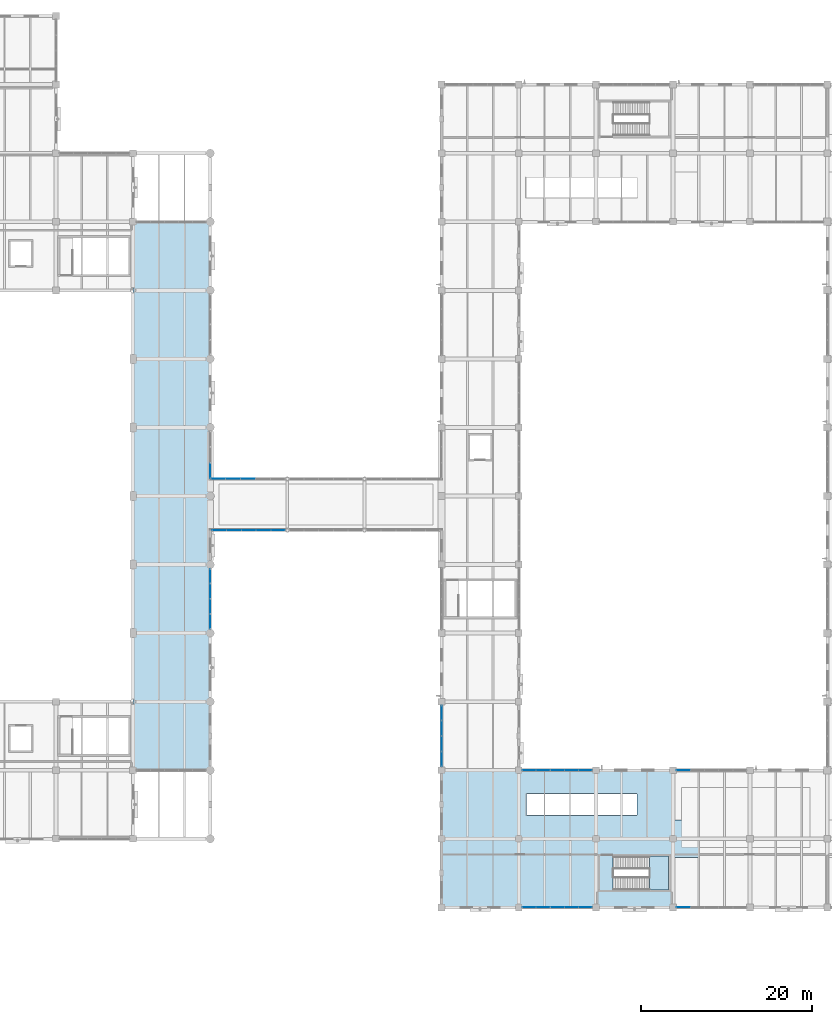
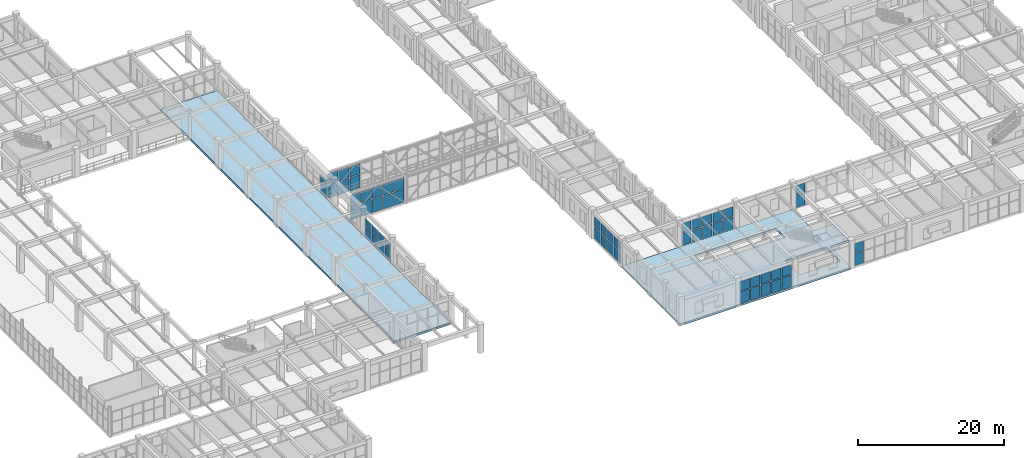
# One storey, part 142 of 178: 58 plates, 3 slabs, 10 elements without a shape of their own.
"""IFC4 building model written with IfcOpenShell, lengths in metres."""

import ifcopenshell
import ifcopenshell.guid

model = None  # the IFC model being written
_history = None  # IfcOwnerHistory: only IFC2X3 demands one
_inside = {}  # id of a spatial element -> (the spatial element, [elements in it])
_under = {}  # id of a project, library or spatial element -> (it, [spatial elements below it])
_declared = {}  # id of a project -> (the project, [libraries it declares])
_typed = {}  # id of a type object -> (the type object, [elements of that type])
_made_of = {}  # id of a material, layer set ... -> (it, [elements and type objects made of it])


def new_model(schema):
    """Start an empty IFC model of exactly this schema.

    Asked for "IFC4X3", IfcOpenShell would pick the latest addendum, in which some entities
    have other attributes; the version numbers below select the first issue.
    IFC2X3 requires an IfcOwnerHistory on every rooted entity: one is made here for all.
    """
    global model, _history
    if schema == "IFC4X3":
        model = ifcopenshell.file(schema_version=(4, 3, 0, 0))
    else:
        model = ifcopenshell.file(schema=schema)
    _inside.clear()
    _under.clear()
    _declared.clear()
    _typed.clear()
    _made_of.clear()
    _history = None
    if model.schema == "IFC2X3":
        org = make("IfcOrganization", Name="unknown")
        user = make(
            "IfcPersonAndOrganization",
            ThePerson=make("IfcPerson", FamilyName="unknown"),
            TheOrganization=org,
        )
        app = make(
            "IfcApplication",
            ApplicationDeveloper=org,
            Version="unknown",
            ApplicationFullName="unknown",
            ApplicationIdentifier="unknown",
        )
        _history = make(
            "IfcOwnerHistory",
            OwningUser=user,
            OwningApplication=app,
            ChangeAction="ADDED",
            CreationDate=0,
        )
    return model


def make(cls, **values):
    """One entity of the class cls with the attributes given. An attribute that is None is left unset."""
    return model.create_entity(
        cls, **{name: value for name, value in values.items() if value is not None}
    )


def rooted(cls, **values):
    """An entity with a GlobalId (a new one), such as an element, a storey or a relation."""
    return make(cls, GlobalId=ifcopenshell.guid.new(), OwnerHistory=_history, **values)


def si_unit(unit_type, name, prefix=None):
    """IfcSIUnit, for example si_unit("LENGTHUNIT", "METRE", prefix="MILLI")."""
    return make("IfcSIUnit", UnitType=unit_type, Prefix=prefix, Name=name)


def derived_unit(unit_type, elements):
    """IfcDerivedUnit: a product of units, each with its exponent."""
    return make(
        "IfcDerivedUnit",
        Elements=[
            make("IfcDerivedUnitElement", Unit=unit, Exponent=power)
            for unit, power in elements
        ],
        UnitType=unit_type,
    )


def assignment(units):
    """IfcUnitAssignment: the units of a project."""
    return None if units is None else make("IfcUnitAssignment", Units=units)


def point(xyz):
    """IfcCartesianPoint."""
    return None if xyz is None else make("IfcCartesianPoint", Coordinates=xyz)


def direction(xyz):
    """IfcDirection."""
    return None if xyz is None else make("IfcDirection", DirectionRatios=xyz)


def frame(location, z_axis=None, x_axis=None):
    """IfcAxis2Placement3D, a coordinate frame: its origin and axes. An axis left out is left unset."""
    return make(
        "IfcAxis2Placement3D",
        Location=point(location),
        Axis=direction(z_axis),
        RefDirection=direction(x_axis),
    )


def frame_2d(location, x_axis=None):
    """IfcAxis2Placement2D, a coordinate frame in the plane: its origin and x axis."""
    return make(
        "IfcAxis2Placement2D", Location=point(location), RefDirection=direction(x_axis)
    )


def origin():
    """The frame at (0, 0, 0) with its axes left unset."""
    return frame((0.0, 0.0, 0.0))


def origin_2d():
    """The frame at (0, 0) in the plane with its x axis left unset."""
    return frame_2d((0.0, 0.0))


def place(relative_to, where):
    """IfcLocalPlacement: puts the frame where relative to a parent placement (None: the world)."""
    return make(
        "IfcLocalPlacement", PlacementRelTo=relative_to, RelativePlacement=where
    )


def context(
    kind, dimensions, precision=None, world=None, true_north=None, identifier=None
):
    """IfcGeometricRepresentationContext, for example the 3D "Model" context."""
    return make(
        "IfcGeometricRepresentationContext",
        ContextIdentifier=identifier,
        ContextType=kind,
        CoordinateSpaceDimension=dimensions,
        Precision=precision,
        WorldCoordinateSystem=world,
        TrueNorth=true_north,
    )


def subcontext(parent, identifier, kind, view, scale=None):
    """IfcGeometricRepresentationSubContext, for example "Body" below "Model"."""
    return make(
        "IfcGeometricRepresentationSubContext",
        ContextIdentifier=identifier,
        ContextType=kind,
        ParentContext=parent,
        TargetScale=scale,
        TargetView=view,
    )


def project(units=None, contexts=None):
    """IfcProject with its units and contexts."""
    return rooted(
        "IfcProject",
        Name="project",
        RepresentationContexts=contexts,
        UnitsInContext=assignment(units),
    )


def spatial(cls, under=None, at=None, **own):
    """A site, building, storey or space (cls), placed at a placement, below another one or the project."""
    s = rooted(cls, ObjectPlacement=at, **own)
    if under is not None:
        _under.setdefault(under.id(), (under, []))[1].append(s)
    return s


def polyline(points):
    """IfcPolyline through the points."""
    return make("IfcPolyline", Points=[point(p) for p in points])


def profile(cls, at=None, kind="AREA", **sizes):
    """A parametric profile (cls). Its sizes go by their IFC names, for example OverallWidth=200.0."""
    return make(cls, ProfileType=kind, Position=at, **sizes)


def rectangle(**sizes):
    """IfcRectangleProfileDef."""
    return profile("IfcRectangleProfileDef", **sizes)


def outline(outer, holes=None, kind="AREA"):
    """IfcArbitraryClosedProfileDef: a profile drawn as a closed curve; with holes, ...WithVoids."""
    if holes is None:
        return make("IfcArbitraryClosedProfileDef", ProfileType=kind, OuterCurve=outer)
    return make(
        "IfcArbitraryProfileDefWithVoids",
        ProfileType=kind,
        OuterCurve=outer,
        InnerCurves=holes,
    )


def extrude(swept, where, along, depth):
    """IfcExtrudedAreaSolid: the profile swept, set in the frame where, extruded along a direction by depth."""
    return make(
        "IfcExtrudedAreaSolid",
        SweptArea=swept,
        Position=where,
        ExtrudedDirection=direction(along),
        Depth=depth,
    )


def shape(context_of_items, identifier, shape_type, items):
    """IfcShapeRepresentation: the items that make up one representation, for example the "Body"."""
    return make(
        "IfcShapeRepresentation",
        ContextOfItems=context_of_items,
        RepresentationIdentifier=identifier,
        RepresentationType=shape_type,
        Items=items,
    )


def material(Name=None, Category=None):
    """IfcMaterial."""
    return make("IfcMaterial", Name=Name, Category=Category)


def layer(
    of_material, thickness, ventilated=None, Name=None, Category=None, Priority=None
):
    """IfcMaterialLayer: one layer of a wall or slab, of a material (None: an air gap)."""
    return make(
        "IfcMaterialLayer",
        Material=of_material,
        LayerThickness=thickness,
        IsVentilated=ventilated,
        Name=Name,
        Category=Category,
        Priority=Priority,
    )


def layer_set(layers, Name=None):
    """IfcMaterialLayerSet."""
    return make("IfcMaterialLayerSet", MaterialLayers=layers, LayerSetName=Name)


def made_of(thing, what):
    """Note that an element or type object is made of a material, layer set ...; save() writes the relation."""
    if what is not None:
        _made_of.setdefault(what.id(), (what, []))[1].append(thing)
    return thing


def type_object(cls, material=None, **own):
    """A type object (cls), such as IfcWallType, which elements share."""
    return made_of(rooted(cls, **own), material)


def element(
    cls,
    number,
    at=None,
    inside=None,
    cuts=None,
    type_object=None,
    material=None,
    context=None,
    identifier="Body",
    shape_type=None,
    held_by="IfcProductDefinitionShape",
    body=None,
    shapes=None,
    **own,
):
    """One element of the class cls, such as IfcWall. Its Tag is "e" and its number.

    at: its placement. inside: the storey or other place that contains it. cuts: it is an
    opening in that element (IfcRelVoidsElement). A single representation is given by context,
    identifier, shape_type and body (its items); several are given by shapes. held_by: the class
    of the entity that holds the representations. save() writes the other relations.
    """
    e = rooted(cls, Tag="e%d" % number, ObjectPlacement=at, **own)
    if body is not None:
        shapes = [shape(context, identifier, shape_type, body)]
    if shapes is not None:
        e.Representation = make(held_by, Representations=shapes)
    if inside is not None:
        _inside.setdefault(inside.id(), (inside, []))[1].append(e)
    if cuts is not None:
        rooted(
            "IfcRelVoidsElement", RelatingBuildingElement=cuts, RelatedOpeningElement=e
        )
    if type_object is not None:
        _typed.setdefault(type_object.id(), (type_object, []))[1].append(e)
    return made_of(e, material)


def aggregate(whole, parts):
    """IfcRelAggregates: a whole, such as a stair, and the parts it consists of."""
    return rooted("IfcRelAggregates", RelatingObject=whole, RelatedObjects=parts)


def save(model, path):
    """Write the relations noted so far, then the file.

    IfcRelAggregates (storeys below a building ...), IfcRelContainedInSpatialStructure (elements
    in a storey), IfcRelDefinesByType, IfcRelAssociatesMaterial and IfcRelDeclares: one each for
    every whole, place, type object, material and project.
    """
    for whole, parts in _under.values():
        aggregate(whole, parts)
    for where, things in _inside.values():
        rooted(
            "IfcRelContainedInSpatialStructure",
            RelatedElements=things,
            RelatingStructure=where,
        )
    for kind, things in _typed.values():
        rooted("IfcRelDefinesByType", RelatedObjects=things, RelatingType=kind)
    for what, things in _made_of.values():
        rooted("IfcRelAssociatesMaterial", RelatedObjects=things, RelatingMaterial=what)
    for by, libraries in _declared.values():
        rooted("IfcRelDeclares", RelatingContext=by, RelatedDefinitions=libraries)
    model.write(path)


model = new_model("IFC4")

# Units and contexts
model_context = context("Model", 3, precision=1e-05, world=origin(), true_north=direction((0.0, 1.0)))
body_context = subcontext(model_context, "Body", "Model", "MODEL_VIEW")
ifc_project = project(units=[si_unit("LENGTHUNIT", "METRE"), si_unit("AREAUNIT", "SQUARE_METRE"), si_unit("VOLUMEUNIT", "CUBIC_METRE"), si_unit("PLANEANGLEUNIT", "RADIAN"), si_unit("MASSUNIT", "GRAM", prefix="KILO"), derived_unit("THERMALTRANSMITTANCEUNIT", [(si_unit("MASSUNIT", "GRAM", prefix="KILO"), 1), (si_unit("TIMEUNIT", "SECOND"), -3), (si_unit("THERMODYNAMICTEMPERATUREUNIT", "KELVIN"), -1)])], contexts=[model_context])

# Site, building, storey
site_placement = place(None, origin())
site = spatial("IfcSite", under=ifc_project, at=site_placement, CompositionType="ELEMENT")
building_placement = place(site_placement, origin())
building = spatial("IfcBuilding", under=site, at=building_placement, Name="Zhenchuan Archway Interchange", CompositionType="ELEMENT")
storey_placement = place(building_placement, frame((0.0, 0.0, 5.39990234375)))
storey = spatial("IfcBuildingStorey", under=building, at=storey_placement, Name="L01", CompositionType="ELEMENT", Elevation=5.39990234375)

# Curtain wall, plate
ifc_material_1 = material(Name="Anodised Aluminium", Category="aluminium")
curtain_wall_type_1 = type_object("IfcCurtainWallType", Name="CW_UNIT_4", PredefinedType="NOTDEFINED", material=ifc_material_1)
curtain_wall_1_placement = place(storey_placement, origin())
curtain_wall_1 = element("IfcCurtainWall", 1, at=curtain_wall_1_placement, inside=storey, type_object=curtain_wall_type_1, Name="Unitised curtain wall CW:L01:071", PredefinedType="NOTDEFINED")
ifc_material_2 = material(Name="Double Low-E Insulated Glazing", Category="glass")
ifc_layer_1 = layer(ifc_material_2, 0.028076171875)
ifc_layer_set_1 = layer_set([ifc_layer_1], Name="Double Low-E Insulated Glazing")
plate_type_1 = type_object("IfcPlateType", Name="CW_GLZ_1", PredefinedType="CURTAIN_PANEL", material=ifc_layer_set_1)
plate_1_placement = place(storey_placement, frame((127.204345703125, 8.0, 0.080078125), z_axis=(0.0, 0.0, 1.0), x_axis=(-1.0, 0.0, 0.0)))
plate_1 = element("IfcPlate", 2, at=plate_1_placement, type_object=plate_type_1, Name="CW:L01:071 lower glazing panel 4", PredefinedType="CURTAIN_PANEL", context=body_context, shape_type="SweptSolid", body=[
    extrude(rectangle(XDim=1.492919921875, YDim=0.028076171875, at=origin_2d()), origin(), (0.0, 0.0, 1.0), 1.98291015625),
])

# Curtain wall, plates
curtain_wall_type_2 = type_object("IfcCurtainWallType", Name="CW_UNIT_1", PredefinedType="NOTDEFINED", material=ifc_material_1)
curtain_wall_2_placement = place(storey_placement, origin())
curtain_wall_2 = element("IfcCurtainWall", 3, at=curtain_wall_2_placement, inside=storey, type_object=curtain_wall_type_2, Name="Unitised curtain wall CW:L01:072", PredefinedType="NOTDEFINED")
plate_2_placement = place(storey_placement, frame((115.795654296875, 8.0, 0.080078125), z_axis=(0.0, 0.0, 1.0), x_axis=(-1.0, 0.0, 0.0)))
plate_2 = element("IfcPlate", 4, at=plate_2_placement, type_object=plate_type_1, Name="CW:L01:072 lower glazing panel 0", PredefinedType="CURTAIN_PANEL", context=body_context, shape_type="SweptSolid", body=[
    extrude(rectangle(XDim=1.492919921875, YDim=0.028076171875, at=origin_2d()), origin(), (0.0, 0.0, 1.0), 1.98291015625),
])
plate_3_placement = place(storey_placement, frame((114.15283203125, 8.0, 0.080078125), z_axis=(0.0, 0.0, 1.0), x_axis=(-1.0, 0.0, 0.0)))
plate_3 = element("IfcPlate", 5, at=plate_3_placement, type_object=plate_type_1, Name="CW:L01:072 lower glazing panel 1", PredefinedType="CURTAIN_PANEL", context=body_context, shape_type="SweptSolid", body=[
    extrude(rectangle(XDim=1.5126953125, YDim=0.028076171875, at=origin_2d()), origin(), (0.0, 0.0, 1.0), 1.98291015625),
])
plate_4_placement = place(storey_placement, frame((112.5, 8.0, 0.080078125), z_axis=(0.0, 0.0, 1.0), x_axis=(-1.0, 0.0, 0.0)))
plate_4 = element("IfcPlate", 6, at=plate_4_placement, type_object=plate_type_1, Name="CW:L01:072 lower glazing panel 2", PredefinedType="CURTAIN_PANEL", context=body_context, shape_type="SweptSolid", body=[
    extrude(rectangle(XDim=1.5126953125, YDim=0.028076171875, at=origin_2d()), origin(), (0.0, 0.0, 1.0), 1.98291015625),
])
plate_5_placement = place(storey_placement, frame((110.84716796875, 8.0, 0.080078125), z_axis=(0.0, 0.0, 1.0), x_axis=(-1.0, 0.0, 0.0)))
plate_5 = element("IfcPlate", 7, at=plate_5_placement, type_object=plate_type_1, Name="CW:L01:072 lower glazing panel 3", PredefinedType="CURTAIN_PANEL", context=body_context, shape_type="SweptSolid", body=[
    extrude(rectangle(XDim=1.5126953125, YDim=0.028076171875, at=origin_2d()), origin(), (0.0, 0.0, 1.0), 1.98291015625),
])
plate_6_placement = place(storey_placement, frame((109.204345703125, 8.0, 0.080078125), z_axis=(0.0, 0.0, 1.0), x_axis=(-1.0, 0.0, 0.0)))
plate_6 = element("IfcPlate", 8, at=plate_6_placement, type_object=plate_type_1, Name="CW:L01:072 lower glazing panel 4", PredefinedType="CURTAIN_PANEL", context=body_context, shape_type="SweptSolid", body=[
    extrude(rectangle(XDim=1.492919921875, YDim=0.028076171875, at=origin_2d()), origin(), (0.0, 0.0, 1.0), 1.98291015625),
])

curtain_wall_type_3 = type_object("IfcCurtainWallType", Name="CW_UNIT_2", PredefinedType="NOTDEFINED", material=ifc_material_1)
curtain_wall_3_placement = place(storey_placement, origin())
curtain_wall_3 = element("IfcCurtainWall", 9, at=curtain_wall_3_placement, inside=storey, type_object=curtain_wall_type_3, Name="Unitised curtain wall CW:L01:077", PredefinedType="NOTDEFINED")
plate_7_placement = place(storey_placement, frame((79.930908203125, 52.0, 0.080078125), z_axis=(0.0, 0.0, 1.0), x_axis=(-1.0, 0.0, 0.0)))
plate_7 = element("IfcPlate", 10, at=plate_7_placement, type_object=plate_type_1, Name="CW:L01:077 lower glazing panel 0", PredefinedType="CURTAIN_PANEL", context=body_context, shape_type="SweptSolid", body=[
    extrude(rectangle(XDim=1.56689453125, YDim=0.028076171875, at=origin_2d()), origin(), (0.0, 0.0, 1.0), 2.214111328125),
])
plate_8_placement = place(storey_placement, frame((78.214111328125, 52.0, 0.080078125), z_axis=(0.0, 0.0, 1.0), x_axis=(-1.0, 0.0, 0.0)))
plate_8 = element("IfcPlate", 11, at=plate_8_placement, type_object=plate_type_1, Name="CW:L01:077 lower glazing panel 1", PredefinedType="CURTAIN_PANEL", context=body_context, shape_type="SweptSolid", body=[
    extrude(rectangle(XDim=1.5869140625, YDim=0.028076171875, at=origin_2d()), origin(), (0.0, 0.0, 1.0), 2.214111328125),
])
plate_9_placement = place(storey_placement, frame((76.4873046875, 52.0, 0.080078125), z_axis=(0.0, 0.0, 1.0), x_axis=(-1.0, 0.0, 0.0)))
plate_9 = element("IfcPlate", 12, at=plate_9_placement, type_object=plate_type_1, Name="CW:L01:077 lower glazing panel 2", PredefinedType="CURTAIN_PANEL", context=body_context, shape_type="SweptSolid", body=[
    extrude(rectangle(XDim=1.5869140625, YDim=0.028076171875, at=origin_2d()), origin(), (0.0, 0.0, 1.0), 2.214111328125),
])
plate_10_placement = place(storey_placement, frame((74.760498046875, 52.0, 0.080078125), z_axis=(0.0, 0.0, 1.0), x_axis=(-1.0, 0.0, 0.0)))
plate_10 = element("IfcPlate", 13, at=plate_10_placement, type_object=plate_type_1, Name="CW:L01:077 lower glazing panel 3", PredefinedType="CURTAIN_PANEL", context=body_context, shape_type="SweptSolid", body=[
    extrude(rectangle(XDim=1.5869140625, YDim=0.028076171875, at=origin_2d()), origin(), (0.0, 0.0, 1.0), 2.214111328125),
])
plate_11_placement = place(storey_placement, frame((73.04345703125, 52.0, 0.080078125), z_axis=(0.0, 0.0, 1.0), x_axis=(-1.0, 0.0, 0.0)))
plate_11 = element("IfcPlate", 14, at=plate_11_placement, type_object=plate_type_1, Name="CW:L01:077 lower glazing panel 4", PredefinedType="CURTAIN_PANEL", context=body_context, shape_type="SweptSolid", body=[
    extrude(rectangle(XDim=1.56689453125, YDim=0.028076171875, at=origin_2d()), origin(), (0.0, 0.0, 1.0), 2.214111328125),
])

curtain_wall_type_4 = type_object("IfcCurtainWallType", Name="CW_UNIT_3", PredefinedType="NOTDEFINED", material=ifc_material_1)
curtain_wall_4_placement = place(storey_placement, origin())
curtain_wall_4 = element("IfcCurtainWall", 15, at=curtain_wall_4_placement, inside=storey, type_object=curtain_wall_type_4, Name="Unitised curtain wall CW:L01:102", PredefinedType="NOTDEFINED")
plate_12_placement = place(storey_placement, frame((109.204345703125, 24.0, 0.080078125), z_axis=(0.0, 0.0, 1.0), x_axis=(1.0, 0.0, 0.0)))
plate_12 = element("IfcPlate", 16, at=plate_12_placement, type_object=plate_type_1, Name="CW:L01:102 lower glazing panel 0", PredefinedType="CURTAIN_PANEL", context=body_context, shape_type="SweptSolid", body=[
    extrude(rectangle(XDim=1.492919921875, YDim=0.028076171875, at=origin_2d()), origin(), (0.0, 0.0, 1.0), 1.98291015625),
])
plate_13_placement = place(storey_placement, frame((110.84716796875, 24.0, 0.080078125), z_axis=(0.0, 0.0, 1.0), x_axis=(1.0, 0.0, 0.0)))
plate_13 = element("IfcPlate", 17, at=plate_13_placement, type_object=plate_type_1, Name="CW:L01:102 lower glazing panel 1", PredefinedType="CURTAIN_PANEL", context=body_context, shape_type="SweptSolid", body=[
    extrude(rectangle(XDim=1.5126953125, YDim=0.028076171875, at=origin_2d()), origin(), (0.0, 0.0, 1.0), 1.98291015625),
])
plate_14_placement = place(storey_placement, frame((112.5, 24.0, 0.080078125), z_axis=(0.0, 0.0, 1.0), x_axis=(1.0, 0.0, 0.0)))
plate_14 = element("IfcPlate", 18, at=plate_14_placement, type_object=plate_type_1, Name="CW:L01:102 lower glazing panel 2", PredefinedType="CURTAIN_PANEL", context=body_context, shape_type="SweptSolid", body=[
    extrude(rectangle(XDim=1.5126953125, YDim=0.028076171875, at=origin_2d()), origin(), (0.0, 0.0, 1.0), 1.98291015625),
])
plate_15_placement = place(storey_placement, frame((114.15283203125, 24.0, 0.080078125), z_axis=(0.0, 0.0, 1.0), x_axis=(1.0, 0.0, 0.0)))
plate_15 = element("IfcPlate", 19, at=plate_15_placement, type_object=plate_type_1, Name="CW:L01:102 lower glazing panel 3", PredefinedType="CURTAIN_PANEL", context=body_context, shape_type="SweptSolid", body=[
    extrude(rectangle(XDim=1.5126953125, YDim=0.028076171875, at=origin_2d()), origin(), (0.0, 0.0, 1.0), 1.98291015625),
])
plate_16_placement = place(storey_placement, frame((115.795654296875, 24.0, 0.080078125), z_axis=(0.0, 0.0, 1.0), x_axis=(1.0, 0.0, 0.0)))
plate_16 = element("IfcPlate", 20, at=plate_16_placement, type_object=plate_type_1, Name="CW:L01:102 lower glazing panel 4", PredefinedType="CURTAIN_PANEL", context=body_context, shape_type="SweptSolid", body=[
    extrude(rectangle(XDim=1.492919921875, YDim=0.028076171875, at=origin_2d()), origin(), (0.0, 0.0, 1.0), 1.98291015625),
])

# Curtain wall, plate
curtain_wall_5_placement = place(storey_placement, origin())
curtain_wall_5 = element("IfcCurtainWall", 21, at=curtain_wall_5_placement, inside=storey, type_object=curtain_wall_type_1, Name="Unitised curtain wall CW:L01:103", PredefinedType="NOTDEFINED")
plate_17_placement = place(storey_placement, frame((127.204345703125, 24.0, 0.080078125), z_axis=(0.0, 0.0, 1.0), x_axis=(1.0, 0.0, 0.0)))
plate_17 = element("IfcPlate", 22, at=plate_17_placement, type_object=plate_type_1, Name="CW:L01:103 lower glazing panel 0", PredefinedType="CURTAIN_PANEL", context=body_context, shape_type="SweptSolid", body=[
    extrude(rectangle(XDim=1.492919921875, YDim=0.028076171875, at=origin_2d()), origin(), (0.0, 0.0, 1.0), 1.98291015625),
])

# Plate
ifc_layer_2 = layer(ifc_material_2, 0.02587890625)
ifc_layer_set_2 = layer_set([ifc_layer_2], Name="Double Low-E Insulated Glazing")
plate_type_2 = type_object("IfcPlateType", Name="CW_GLZ_2", PredefinedType="CURTAIN_PANEL", material=ifc_layer_set_2)
plate_18_placement = place(storey_placement, frame((127.204345703125, 8.0, 2.18310546875), z_axis=(0.0, 0.0, 1.0), x_axis=(-1.0, 0.0, 0.0)))
plate_18 = element("IfcPlate", 23, at=plate_18_placement, type_object=plate_type_2, Name="CW:L01:071 upper glazing panel 4", PredefinedType="CURTAIN_PANEL", context=body_context, shape_type="SweptSolid", body=[
    extrude(rectangle(XDim=1.492919921875, YDim=0.02587890625, at=origin_2d()), origin(), (0.0, 0.0, 1.0), 1.596923828125),
])

aggregate(curtain_wall_1, [plate_1, plate_18])

plate_19_placement = place(storey_placement, frame((115.795654296875, 8.0, 2.18310546875), z_axis=(0.0, 0.0, 1.0), x_axis=(-1.0, 0.0, 0.0)))
plate_19 = element("IfcPlate", 24, at=plate_19_placement, type_object=plate_type_2, Name="CW:L01:072 upper glazing panel 0", PredefinedType="CURTAIN_PANEL", context=body_context, shape_type="SweptSolid", body=[
    extrude(rectangle(XDim=1.492919921875, YDim=0.02587890625, at=origin_2d()), origin(), (0.0, 0.0, 1.0), 1.596923828125),
])

plate_20_placement = place(storey_placement, frame((114.15283203125, 8.0, 2.18310546875), z_axis=(0.0, 0.0, 1.0), x_axis=(-1.0, 0.0, 0.0)))
plate_20 = element("IfcPlate", 25, at=plate_20_placement, type_object=plate_type_2, Name="CW:L01:072 upper glazing panel 1", PredefinedType="CURTAIN_PANEL", context=body_context, shape_type="SweptSolid", body=[
    extrude(rectangle(XDim=1.5126953125, YDim=0.02587890625, at=origin_2d()), origin(), (0.0, 0.0, 1.0), 1.596923828125),
])

plate_21_placement = place(storey_placement, frame((112.5, 8.0, 2.18310546875), z_axis=(0.0, 0.0, 1.0), x_axis=(-1.0, 0.0, 0.0)))
plate_21 = element("IfcPlate", 26, at=plate_21_placement, type_object=plate_type_2, Name="CW:L01:072 upper glazing panel 2", PredefinedType="CURTAIN_PANEL", context=body_context, shape_type="SweptSolid", body=[
    extrude(rectangle(XDim=1.5126953125, YDim=0.02587890625, at=origin_2d()), origin(), (0.0, 0.0, 1.0), 1.596923828125),
])

plate_22_placement = place(storey_placement, frame((110.84716796875, 8.0, 2.18310546875), z_axis=(0.0, 0.0, 1.0), x_axis=(-1.0, 0.0, 0.0)))
plate_22 = element("IfcPlate", 27, at=plate_22_placement, type_object=plate_type_2, Name="CW:L01:072 upper glazing panel 3", PredefinedType="CURTAIN_PANEL", context=body_context, shape_type="SweptSolid", body=[
    extrude(rectangle(XDim=1.5126953125, YDim=0.02587890625, at=origin_2d()), origin(), (0.0, 0.0, 1.0), 1.596923828125),
])

plate_23_placement = place(storey_placement, frame((109.204345703125, 8.0, 2.18310546875), z_axis=(0.0, 0.0, 1.0), x_axis=(-1.0, 0.0, 0.0)))
plate_23 = element("IfcPlate", 28, at=plate_23_placement, type_object=plate_type_2, Name="CW:L01:072 upper glazing panel 4", PredefinedType="CURTAIN_PANEL", context=body_context, shape_type="SweptSolid", body=[
    extrude(rectangle(XDim=1.492919921875, YDim=0.02587890625, at=origin_2d()), origin(), (0.0, 0.0, 1.0), 1.596923828125),
])

aggregate(curtain_wall_2, [plate_2, plate_19, plate_3, plate_20, plate_4, plate_21, plate_5, plate_22, plate_6, plate_23])

plate_24_placement = place(storey_placement, frame((79.930908203125, 52.0, 2.4140625), z_axis=(0.0, 0.0, 1.0), x_axis=(-1.0, 0.0, 0.0)))
plate_24 = element("IfcPlate", 29, at=plate_24_placement, type_object=plate_type_2, Name="CW:L01:077 upper glazing panel 0", PredefinedType="CURTAIN_PANEL", context=body_context, shape_type="SweptSolid", body=[
    extrude(rectangle(XDim=1.56689453125, YDim=0.02587890625, at=origin_2d()), origin(), (0.0, 0.0, 1.0), 1.785888671875),
])

plate_25_placement = place(storey_placement, frame((78.214111328125, 52.0, 2.4140625), z_axis=(0.0, 0.0, 1.0), x_axis=(-1.0, 0.0, 0.0)))
plate_25 = element("IfcPlate", 30, at=plate_25_placement, type_object=plate_type_2, Name="CW:L01:077 upper glazing panel 1", PredefinedType="CURTAIN_PANEL", context=body_context, shape_type="SweptSolid", body=[
    extrude(rectangle(XDim=1.5869140625, YDim=0.02587890625, at=origin_2d()), origin(), (0.0, 0.0, 1.0), 1.785888671875),
])

plate_26_placement = place(storey_placement, frame((76.4873046875, 52.0, 2.4140625), z_axis=(0.0, 0.0, 1.0), x_axis=(-1.0, 0.0, 0.0)))
plate_26 = element("IfcPlate", 31, at=plate_26_placement, type_object=plate_type_2, Name="CW:L01:077 upper glazing panel 2", PredefinedType="CURTAIN_PANEL", context=body_context, shape_type="SweptSolid", body=[
    extrude(rectangle(XDim=1.5869140625, YDim=0.02587890625, at=origin_2d()), origin(), (0.0, 0.0, 1.0), 1.785888671875),
])

plate_27_placement = place(storey_placement, frame((74.760498046875, 52.0, 2.4140625), z_axis=(0.0, 0.0, 1.0), x_axis=(-1.0, 0.0, 0.0)))
plate_27 = element("IfcPlate", 32, at=plate_27_placement, type_object=plate_type_2, Name="CW:L01:077 upper glazing panel 3", PredefinedType="CURTAIN_PANEL", context=body_context, shape_type="SweptSolid", body=[
    extrude(rectangle(XDim=1.5869140625, YDim=0.02587890625, at=origin_2d()), origin(), (0.0, 0.0, 1.0), 1.785888671875),
])

plate_28_placement = place(storey_placement, frame((73.04345703125, 52.0, 2.4140625), z_axis=(0.0, 0.0, 1.0), x_axis=(-1.0, 0.0, 0.0)))
plate_28 = element("IfcPlate", 33, at=plate_28_placement, type_object=plate_type_2, Name="CW:L01:077 upper glazing panel 4", PredefinedType="CURTAIN_PANEL", context=body_context, shape_type="SweptSolid", body=[
    extrude(rectangle(XDim=1.56689453125, YDim=0.02587890625, at=origin_2d()), origin(), (0.0, 0.0, 1.0), 1.785888671875),
])

aggregate(curtain_wall_3, [plate_7, plate_24, plate_8, plate_25, plate_9, plate_26, plate_10, plate_27, plate_11, plate_28])

plate_29_placement = place(storey_placement, frame((109.204345703125, 24.0, 2.18310546875), z_axis=(0.0, 0.0, 1.0), x_axis=(1.0, 0.0, 0.0)))
plate_29 = element("IfcPlate", 34, at=plate_29_placement, type_object=plate_type_2, Name="CW:L01:102 upper glazing panel 0", PredefinedType="CURTAIN_PANEL", context=body_context, shape_type="SweptSolid", body=[
    extrude(rectangle(XDim=1.492919921875, YDim=0.02587890625, at=origin_2d()), origin(), (0.0, 0.0, 1.0), 1.596923828125),
])

plate_30_placement = place(storey_placement, frame((110.84716796875, 24.0, 2.18310546875), z_axis=(0.0, 0.0, 1.0), x_axis=(1.0, 0.0, 0.0)))
plate_30 = element("IfcPlate", 35, at=plate_30_placement, type_object=plate_type_2, Name="CW:L01:102 upper glazing panel 1", PredefinedType="CURTAIN_PANEL", context=body_context, shape_type="SweptSolid", body=[
    extrude(rectangle(XDim=1.5126953125, YDim=0.02587890625, at=origin_2d()), origin(), (0.0, 0.0, 1.0), 1.596923828125),
])

plate_31_placement = place(storey_placement, frame((112.5, 24.0, 2.18310546875), z_axis=(0.0, 0.0, 1.0), x_axis=(1.0, 0.0, 0.0)))
plate_31 = element("IfcPlate", 36, at=plate_31_placement, type_object=plate_type_2, Name="CW:L01:102 upper glazing panel 2", PredefinedType="CURTAIN_PANEL", context=body_context, shape_type="SweptSolid", body=[
    extrude(rectangle(XDim=1.5126953125, YDim=0.02587890625, at=origin_2d()), origin(), (0.0, 0.0, 1.0), 1.596923828125),
])

plate_32_placement = place(storey_placement, frame((114.15283203125, 24.0, 2.18310546875), z_axis=(0.0, 0.0, 1.0), x_axis=(1.0, 0.0, 0.0)))
plate_32 = element("IfcPlate", 37, at=plate_32_placement, type_object=plate_type_2, Name="CW:L01:102 upper glazing panel 3", PredefinedType="CURTAIN_PANEL", context=body_context, shape_type="SweptSolid", body=[
    extrude(rectangle(XDim=1.5126953125, YDim=0.02587890625, at=origin_2d()), origin(), (0.0, 0.0, 1.0), 1.596923828125),
])

plate_33_placement = place(storey_placement, frame((115.795654296875, 24.0, 2.18310546875), z_axis=(0.0, 0.0, 1.0), x_axis=(1.0, 0.0, 0.0)))
plate_33 = element("IfcPlate", 38, at=plate_33_placement, type_object=plate_type_2, Name="CW:L01:102 upper glazing panel 4", PredefinedType="CURTAIN_PANEL", context=body_context, shape_type="SweptSolid", body=[
    extrude(rectangle(XDim=1.492919921875, YDim=0.02587890625, at=origin_2d()), origin(), (0.0, 0.0, 1.0), 1.596923828125),
])

aggregate(curtain_wall_4, [plate_12, plate_29, plate_13, plate_30, plate_14, plate_31, plate_15, plate_32, plate_16, plate_33])

plate_34_placement = place(storey_placement, frame((127.204345703125, 24.0, 2.18310546875), z_axis=(0.0, 0.0, 1.0), x_axis=(1.0, 0.0, 0.0)))
plate_34 = element("IfcPlate", 39, at=plate_34_placement, type_object=plate_type_2, Name="CW:L01:103 upper glazing panel 0", PredefinedType="CURTAIN_PANEL", context=body_context, shape_type="SweptSolid", body=[
    extrude(rectangle(XDim=1.492919921875, YDim=0.02587890625, at=origin_2d()), origin(), (0.0, 0.0, 1.0), 1.596923828125),
])

aggregate(curtain_wall_5, [plate_17, plate_34])

# Curtain wall, plate
curtain_wall_6_placement = place(storey_placement, origin())
curtain_wall_6 = element("IfcCurtainWall", 40, at=curtain_wall_6_placement, inside=storey, type_object=curtain_wall_type_4, Name="Unitised curtain wall CW:L01:054", PredefinedType="NOTDEFINED")
ifc_layer_3 = layer(ifc_material_2, 0.030029296875)
ifc_layer_set_3 = layer_set([ifc_layer_3], Name="Double Low-E Insulated Glazing")
plate_type_3 = type_object("IfcPlateType", Name="CW_GLZ_3", PredefinedType="CURTAIN_PANEL", material=ifc_layer_set_3)
plate_35_placement = place(storey_placement, frame((72.0, 58.936279296875, 0.080078125), z_axis=(0.0, 0.0, 1.0), x_axis=(0.0, -1.0, 0.0)))
plate_35 = element("IfcPlate", 41, at=plate_35_placement, type_object=plate_type_3, Name="CW:L01:054 lower glazing panel 2", PredefinedType="CURTAIN_PANEL", context=body_context, shape_type="SweptSolid", body=[
    extrude(rectangle(XDim=1.692626953125, YDim=0.028076171875, at=origin_2d()), origin(), (0.0, 0.0, 1.0), 1.653076171875),
])

# Curtain wall, plates
curtain_wall_7_placement = place(storey_placement, origin())
curtain_wall_7 = element("IfcCurtainWall", 42, at=curtain_wall_7_placement, inside=storey, type_object=curtain_wall_type_1, Name="Unitised curtain wall CW:L01:055", PredefinedType="NOTDEFINED")
plate_36_placement = place(storey_placement, frame((72.890380859375, 58.0, 0.080078125), z_axis=(0.0, 0.0, 1.0), x_axis=(1.0, 0.0, 0.0)))
plate_36 = element("IfcPlate", 43, at=plate_36_placement, type_object=plate_type_3, Name="CW:L01:055 lower glazing panel 0", PredefinedType="CURTAIN_PANEL", context=body_context, shape_type="SweptSolid", body=[
    extrude(rectangle(XDim=1.600830078125, YDim=0.028076171875, at=origin_2d()), origin(), (0.0, 0.0, 1.0), 2.214111328125),
])
plate_37_placement = place(storey_placement, frame((74.641357421875, 58.0, 0.080078125), z_axis=(0.0, 0.0, 1.0), x_axis=(1.0, 0.0, 0.0)))
plate_37 = element("IfcPlate", 44, at=plate_37_placement, type_object=plate_type_3, Name="CW:L01:055 lower glazing panel 1", PredefinedType="CURTAIN_PANEL", context=body_context, shape_type="SweptSolid", body=[
    extrude(rectangle(XDim=1.620849609375, YDim=0.028076171875, at=origin_2d()), origin(), (0.0, 0.0, 1.0), 2.214111328125),
])
plate_38_placement = place(storey_placement, frame((76.40234375, 58.0, 0.080078125), z_axis=(0.0, 0.0, 1.0), x_axis=(1.0, 0.0, 0.0)))
plate_38 = element("IfcPlate", 45, at=plate_38_placement, type_object=plate_type_3, Name="CW:L01:055 lower glazing panel 2", PredefinedType="CURTAIN_PANEL", context=body_context, shape_type="SweptSolid", body=[
    extrude(rectangle(XDim=1.620849609375, YDim=0.028076171875, at=origin_2d()), origin(), (0.0, 0.0, 1.0), 2.214111328125),
])

curtain_wall_8_placement = place(storey_placement, origin())
curtain_wall_8 = element("IfcCurtainWall", 46, at=curtain_wall_8_placement, inside=storey, type_object=curtain_wall_type_3, Name="Unitised curtain wall CW:L01:073", PredefinedType="NOTDEFINED")
plate_39_placement = place(storey_placement, frame((99.0, 25.285888671875, 0.080078125), z_axis=(0.0, 0.0, 1.0), x_axis=(0.0, 1.0, 0.0)))
plate_39 = element("IfcPlate", 47, at=plate_39_placement, type_object=plate_type_3, Name="CW:L01:073 lower glazing panel 0", PredefinedType="CURTAIN_PANEL", context=body_context, shape_type="SweptSolid", body=[
    extrude(rectangle(XDim=1.656005859375, YDim=0.028076171875, at=origin_2d()), origin(), (0.0, 0.0, 1.0), 1.98291015625),
])
plate_40_placement = place(storey_placement, frame((99.0, 27.092041015625, 0.080078125), z_axis=(0.0, 0.0, 1.0), x_axis=(0.0, 1.0, 0.0)))
plate_40 = element("IfcPlate", 48, at=plate_40_placement, type_object=plate_type_3, Name="CW:L01:073 lower glazing panel 1", PredefinedType="CURTAIN_PANEL", context=body_context, shape_type="SweptSolid", body=[
    extrude(rectangle(XDim=1.676025390625, YDim=0.028076171875, at=origin_2d()), origin(), (0.0, 0.0, 1.0), 1.98291015625),
])
plate_41_placement = place(storey_placement, frame((99.0, 28.907958984375, 0.080078125), z_axis=(0.0, 0.0, 1.0), x_axis=(0.0, 1.0, 0.0)))
plate_41 = element("IfcPlate", 49, at=plate_41_placement, type_object=plate_type_3, Name="CW:L01:073 lower glazing panel 2", PredefinedType="CURTAIN_PANEL", context=body_context, shape_type="SweptSolid", body=[
    extrude(rectangle(XDim=1.676025390625, YDim=0.028076171875, at=origin_2d()), origin(), (0.0, 0.0, 1.0), 1.98291015625),
])
plate_42_placement = place(storey_placement, frame((99.0, 30.714111328125, 0.080078125), z_axis=(0.0, 0.0, 1.0), x_axis=(0.0, 1.0, 0.0)))
plate_42 = element("IfcPlate", 50, at=plate_42_placement, type_object=plate_type_3, Name="CW:L01:073 lower glazing panel 3", PredefinedType="CURTAIN_PANEL", context=body_context, shape_type="SweptSolid", body=[
    extrude(rectangle(XDim=1.656005859375, YDim=0.028076171875, at=origin_2d()), origin(), (0.0, 0.0, 1.0), 1.98291015625),
])

curtain_wall_9_placement = place(storey_placement, origin())
curtain_wall_9 = element("IfcCurtainWall", 51, at=curtain_wall_9_placement, inside=storey, type_object=curtain_wall_type_4, Name="Unitised curtain wall CW:L01:078", PredefinedType="NOTDEFINED")
plate_43_placement = place(storey_placement, frame((72.0, 46.658447265625, 0.080078125), z_axis=(0.0, 0.0, 1.0), x_axis=(0.0, -1.0, 0.0)))
plate_43 = element("IfcPlate", 52, at=plate_43_placement, type_object=plate_type_3, Name="CW:L01:078 lower glazing panel 0", PredefinedType="CURTAIN_PANEL", context=body_context, shape_type="SweptSolid", body=[
    extrude(rectangle(XDim=1.618896484375, YDim=0.028076171875, at=origin_2d()), origin(), (0.0, 0.0, 1.0), 1.653076171875),
])
plate_44_placement = place(storey_placement, frame((72.0, 44.889404296875, 0.080078125), z_axis=(0.0, 0.0, 1.0), x_axis=(0.0, -1.0, 0.0)))
plate_44 = element("IfcPlate", 53, at=plate_44_placement, type_object=plate_type_3, Name="CW:L01:078 lower glazing panel 1", PredefinedType="CURTAIN_PANEL", context=body_context, shape_type="SweptSolid", body=[
    extrude(rectangle(XDim=1.638916015625, YDim=0.028076171875, at=origin_2d()), origin(), (0.0, 0.0, 1.0), 1.653076171875),
])
plate_45_placement = place(storey_placement, frame((72.0, 43.110595703125, 0.080078125), z_axis=(0.0, 0.0, 1.0), x_axis=(0.0, -1.0, 0.0)))
plate_45 = element("IfcPlate", 54, at=plate_45_placement, type_object=plate_type_3, Name="CW:L01:078 lower glazing panel 2", PredefinedType="CURTAIN_PANEL", context=body_context, shape_type="SweptSolid", body=[
    extrude(rectangle(XDim=1.638916015625, YDim=0.028076171875, at=origin_2d()), origin(), (0.0, 0.0, 1.0), 1.653076171875),
])
plate_46_placement = place(storey_placement, frame((72.0, 41.341552734375, 0.080078125), z_axis=(0.0, 0.0, 1.0), x_axis=(0.0, -1.0, 0.0)))
plate_46 = element("IfcPlate", 55, at=plate_46_placement, type_object=plate_type_3, Name="CW:L01:078 lower glazing panel 3", PredefinedType="CURTAIN_PANEL", context=body_context, shape_type="SweptSolid", body=[
    extrude(rectangle(XDim=1.618896484375, YDim=0.028076171875, at=origin_2d()), origin(), (0.0, 0.0, 1.0), 1.653076171875),
])

# Plate
ifc_layer_4 = layer(ifc_material_2, 0.02392578125)
ifc_layer_set_4 = layer_set([ifc_layer_4], Name="Double Low-E Insulated Glazing")
plate_type_4 = type_object("IfcPlateType", Name="CW_GLZ_4", PredefinedType="CURTAIN_PANEL", material=ifc_layer_set_4)
plate_47_placement = place(storey_placement, frame((72.0, 58.936279296875, 1.85302734375), z_axis=(0.0, 0.0, 1.0), x_axis=(0.0, -1.0, 0.0)))
plate_47 = element("IfcPlate", 56, at=plate_47_placement, type_object=plate_type_4, Name="CW:L01:054 upper glazing panel 2", PredefinedType="CURTAIN_PANEL", context=body_context, shape_type="SweptSolid", body=[
    extrude(rectangle(XDim=1.692626953125, YDim=0.02587890625, at=origin_2d()), origin(), (0.0, 0.0, 1.0), 1.326904296875),
])

aggregate(curtain_wall_6, [plate_35, plate_47])

plate_48_placement = place(storey_placement, frame((72.890380859375, 58.0, 2.4140625), z_axis=(0.0, 0.0, 1.0), x_axis=(1.0, 0.0, 0.0)))
plate_48 = element("IfcPlate", 57, at=plate_48_placement, type_object=plate_type_4, Name="CW:L01:055 upper glazing panel 0", PredefinedType="CURTAIN_PANEL", context=body_context, shape_type="SweptSolid", body=[
    extrude(rectangle(XDim=1.600830078125, YDim=0.02587890625, at=origin_2d()), origin(), (0.0, 0.0, 1.0), 1.785888671875),
])

plate_49_placement = place(storey_placement, frame((74.641357421875, 58.0, 2.4140625), z_axis=(0.0, 0.0, 1.0), x_axis=(1.0, 0.0, 0.0)))
plate_49 = element("IfcPlate", 58, at=plate_49_placement, type_object=plate_type_4, Name="CW:L01:055 upper glazing panel 1", PredefinedType="CURTAIN_PANEL", context=body_context, shape_type="SweptSolid", body=[
    extrude(rectangle(XDim=1.620849609375, YDim=0.02587890625, at=origin_2d()), origin(), (0.0, 0.0, 1.0), 1.785888671875),
])

plate_50_placement = place(storey_placement, frame((76.40234375, 58.0, 2.4140625), z_axis=(0.0, 0.0, 1.0), x_axis=(1.0, 0.0, 0.0)))
plate_50 = element("IfcPlate", 59, at=plate_50_placement, type_object=plate_type_4, Name="CW:L01:055 upper glazing panel 2", PredefinedType="CURTAIN_PANEL", context=body_context, shape_type="SweptSolid", body=[
    extrude(rectangle(XDim=1.620849609375, YDim=0.02587890625, at=origin_2d()), origin(), (0.0, 0.0, 1.0), 1.785888671875),
])

aggregate(curtain_wall_7, [plate_36, plate_48, plate_37, plate_49, plate_38, plate_50])

plate_51_placement = place(storey_placement, frame((99.0, 25.285888671875, 2.18310546875), z_axis=(0.0, 0.0, 1.0), x_axis=(0.0, 1.0, 0.0)))
plate_51 = element("IfcPlate", 60, at=plate_51_placement, type_object=plate_type_4, Name="CW:L01:073 upper glazing panel 0", PredefinedType="CURTAIN_PANEL", context=body_context, shape_type="SweptSolid", body=[
    extrude(rectangle(XDim=1.656005859375, YDim=0.02587890625, at=origin_2d()), origin(), (0.0, 0.0, 1.0), 1.596923828125),
])

plate_52_placement = place(storey_placement, frame((99.0, 27.092041015625, 2.18310546875), z_axis=(0.0, 0.0, 1.0), x_axis=(0.0, 1.0, 0.0)))
plate_52 = element("IfcPlate", 61, at=plate_52_placement, type_object=plate_type_4, Name="CW:L01:073 upper glazing panel 1", PredefinedType="CURTAIN_PANEL", context=body_context, shape_type="SweptSolid", body=[
    extrude(rectangle(XDim=1.676025390625, YDim=0.02587890625, at=origin_2d()), origin(), (0.0, 0.0, 1.0), 1.596923828125),
])

plate_53_placement = place(storey_placement, frame((99.0, 28.907958984375, 2.18310546875), z_axis=(0.0, 0.0, 1.0), x_axis=(0.0, 1.0, 0.0)))
plate_53 = element("IfcPlate", 62, at=plate_53_placement, type_object=plate_type_4, Name="CW:L01:073 upper glazing panel 2", PredefinedType="CURTAIN_PANEL", context=body_context, shape_type="SweptSolid", body=[
    extrude(rectangle(XDim=1.676025390625, YDim=0.02587890625, at=origin_2d()), origin(), (0.0, 0.0, 1.0), 1.596923828125),
])

plate_54_placement = place(storey_placement, frame((99.0, 30.714111328125, 2.18310546875), z_axis=(0.0, 0.0, 1.0), x_axis=(0.0, 1.0, 0.0)))
plate_54 = element("IfcPlate", 63, at=plate_54_placement, type_object=plate_type_4, Name="CW:L01:073 upper glazing panel 3", PredefinedType="CURTAIN_PANEL", context=body_context, shape_type="SweptSolid", body=[
    extrude(rectangle(XDim=1.656005859375, YDim=0.02587890625, at=origin_2d()), origin(), (0.0, 0.0, 1.0), 1.596923828125),
])

aggregate(curtain_wall_8, [plate_39, plate_51, plate_40, plate_52, plate_41, plate_53, plate_42, plate_54])

plate_55_placement = place(storey_placement, frame((72.0, 46.658447265625, 1.85302734375), z_axis=(0.0, 0.0, 1.0), x_axis=(0.0, -1.0, 0.0)))
plate_55 = element("IfcPlate", 64, at=plate_55_placement, type_object=plate_type_4, Name="CW:L01:078 upper glazing panel 0", PredefinedType="CURTAIN_PANEL", context=body_context, shape_type="SweptSolid", body=[
    extrude(rectangle(XDim=1.618896484375, YDim=0.02587890625, at=origin_2d()), origin(), (0.0, 0.0, 1.0), 1.326904296875),
])

plate_56_placement = place(storey_placement, frame((72.0, 44.889404296875, 1.85302734375), z_axis=(0.0, 0.0, 1.0), x_axis=(0.0, -1.0, 0.0)))
plate_56 = element("IfcPlate", 65, at=plate_56_placement, type_object=plate_type_4, Name="CW:L01:078 upper glazing panel 1", PredefinedType="CURTAIN_PANEL", context=body_context, shape_type="SweptSolid", body=[
    extrude(rectangle(XDim=1.638916015625, YDim=0.02587890625, at=origin_2d()), origin(), (0.0, 0.0, 1.0), 1.326904296875),
])

plate_57_placement = place(storey_placement, frame((72.0, 43.110595703125, 1.85302734375), z_axis=(0.0, 0.0, 1.0), x_axis=(0.0, -1.0, 0.0)))
plate_57 = element("IfcPlate", 66, at=plate_57_placement, type_object=plate_type_4, Name="CW:L01:078 upper glazing panel 2", PredefinedType="CURTAIN_PANEL", context=body_context, shape_type="SweptSolid", body=[
    extrude(rectangle(XDim=1.638916015625, YDim=0.02587890625, at=origin_2d()), origin(), (0.0, 0.0, 1.0), 1.326904296875),
])

plate_58_placement = place(storey_placement, frame((72.0, 41.341552734375, 1.85302734375), z_axis=(0.0, 0.0, 1.0), x_axis=(0.0, -1.0, 0.0)))
plate_58 = element("IfcPlate", 67, at=plate_58_placement, type_object=plate_type_4, Name="CW:L01:078 upper glazing panel 3", PredefinedType="CURTAIN_PANEL", context=body_context, shape_type="SweptSolid", body=[
    extrude(rectangle(XDim=1.618896484375, YDim=0.02587890625, at=origin_2d()), origin(), (0.0, 0.0, 1.0), 1.326904296875),
])

aggregate(curtain_wall_9, [plate_43, plate_55, plate_44, plate_56, plate_45, plate_57, plate_46, plate_58])

# Slabs
ifc_material_3 = material(Name="Concrete C40", Category="concrete")
ifc_layer_5 = layer(ifc_material_3, 0.320068359375)
ifc_layer_set_5 = layer_set([ifc_layer_5], Name="Concrete C40")
slab_type_1 = type_object("IfcSlabType", Name="SLB_FLR_320", PredefinedType="FLOOR", material=ifc_layer_set_5)
slab_1_placement = place(storey_placement, frame((0.0, 0.0, -0.31982421875)))
element("IfcSlab", 68, at=slab_1_placement, inside=storey, type_object=slab_type_1, Name="Structural slab L01 CH-E", PredefinedType="FLOOR", context=body_context, shape_type="SweptSolid", body=[
    extrude(outline(polyline([(63.0, 88.0), (72.0, 88.0), (72.0, 24.0), (63.0, 24.0), (63.0, 88.0)])), origin(), (0.0, 0.0, 1.0), 0.31982421875),
])
slab_2_placement = place(storey_placement, frame((0.0, 0.0, -0.31982421875)))
element("IfcSlab", 69, at=slab_2_placement, inside=storey, type_object=slab_type_1, Name="Structural slab L01 OPS-S1", PredefinedType="FLOOR", context=body_context, shape_type="SweptSolid", body=[
    extrude(outline(polyline([(99.0, 24.0), (126.0, 24.0), (126.0, 18.197998046875), (128.998046875, 18.197998046875), (128.998046875, 13.802001953125), (126.0, 13.802001953125), (126.0, 8.0), (99.0, 8.0), (99.0, 24.0)]), holes=[polyline([(125.4951171875, 13.97509765625), (119.02490234375, 13.97509765625), (119.02490234375, 10.02490234375), (125.4951171875, 10.02490234375), (125.4951171875, 13.97509765625)]), polyline([(121.780029296875, 18.77490234375), (121.780029296875, 21.22509765625), (108.89990234375, 21.22509765625), (108.89990234375, 18.77490234375), (121.780029296875, 18.77490234375)])]), origin(), (0.0, 0.0, 1.0), 0.31982421875),
])

# Stair, slab
ifc_material_4 = material(Name="Concrete C35", Category="concrete")
stair_type = type_object("IfcStairType", Name="STR_HALF_1450", PredefinedType="HALF_TURN_STAIR", material=ifc_material_4)
stair_placement = place(storey_placement, origin())
stair = element("IfcStair", 70, at=stair_placement, inside=storey, type_object=stair_type, Name="Stair ST-O5 (L01)", PredefinedType="HALF_TURN_STAIR")
ifc_layer_6 = layer(ifc_material_4, 0.199951171875)
ifc_layer_set_6 = layer_set([ifc_layer_6], Name="Concrete C35")
slab_type_2 = type_object("IfcSlabType", Name="SLB_LANDING_200", PredefinedType="LANDING", material=ifc_layer_set_6)
slab_3_placement = place(storey_placement, frame((0.0, 0.0, 2.2001953125)))
slab_3 = element("IfcSlab", 71, at=slab_3_placement, type_object=slab_type_2, Name="Stair ST-O5 half-landing (L01)", PredefinedType="LANDING", context=body_context, shape_type="SweptSolid", body=[
    extrude(outline(polyline([(123.2451171875, 10.02294921875), (125.4970703125, 10.02294921875), (125.4970703125, 13.97705078125), (123.2451171875, 13.97705078125), (123.2451171875, 10.02294921875)])), origin(), (0.0, 0.0, 1.0), 0.199951171875),
])
aggregate(stair, [slab_3])

save(model, "model.ifc")
